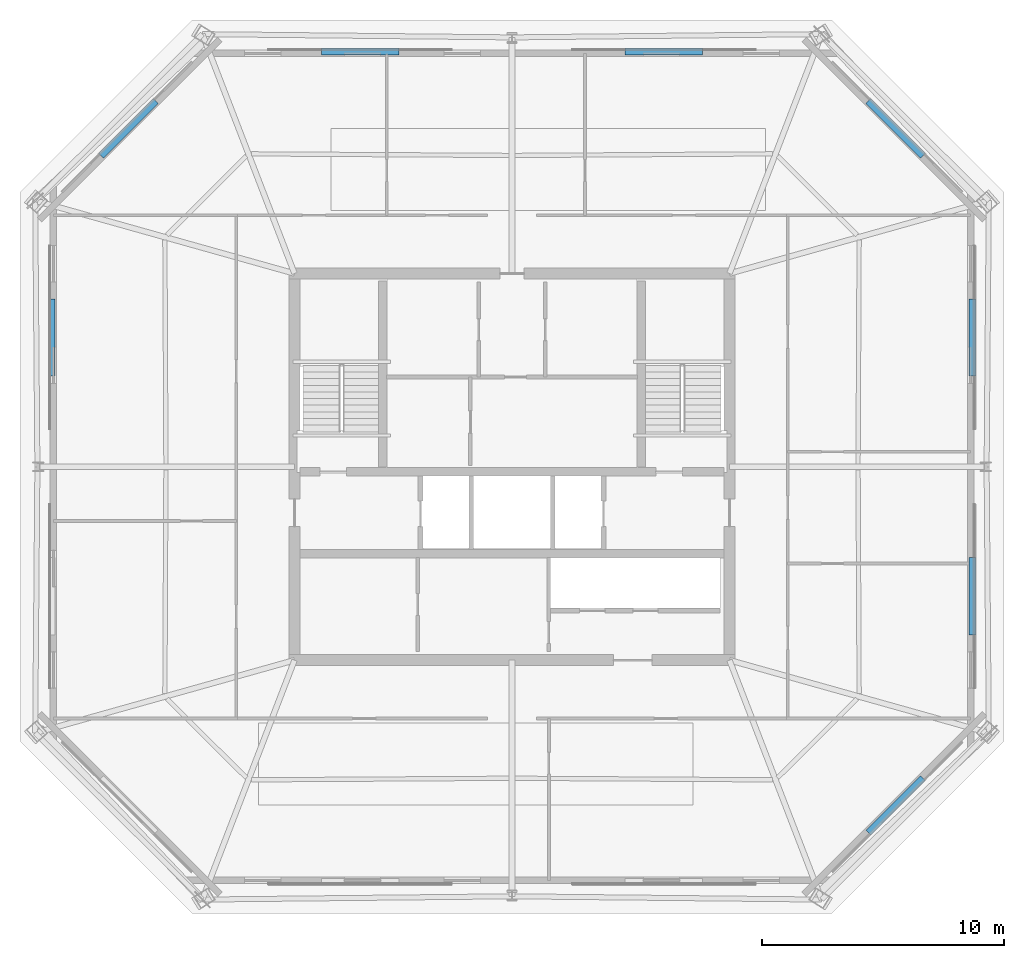
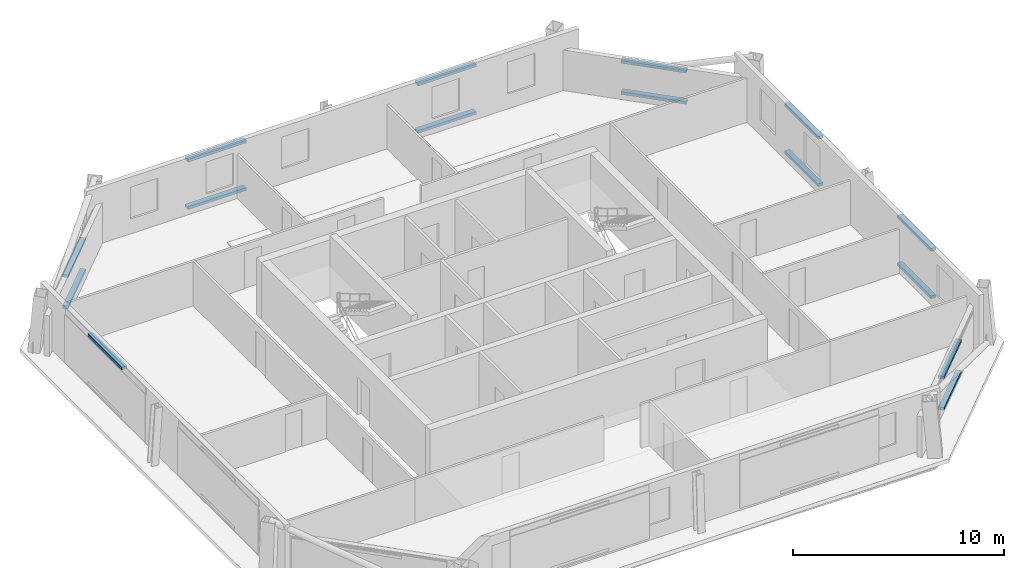
# One storey, part 5 of 7: 15 discrete accessories.
"""IFC4 building model written with IfcOpenShell, lengths in metres."""

from ifc_helpers import new_model, si_unit, direction, frame, origin, origin_2d, place, context, subcontext, project, spatial, rectangle, extrude, material, type_object, element, save


model = new_model("IFC4")

# Units and contexts
model_context = context("Model", 3, precision=1e-05, world=origin(), true_north=direction((0.0, 1.0)))
body_context = subcontext(model_context, "Body", "Model", "MODEL_VIEW")
ifc_project = project(units=[si_unit("LENGTHUNIT", "METRE"), si_unit("AREAUNIT", "SQUARE_METRE"), si_unit("VOLUMEUNIT", "CUBIC_METRE"), si_unit("PLANEANGLEUNIT", "RADIAN"), si_unit("MASSUNIT", "GRAM", prefix="KILO")], contexts=[model_context])

# Site, building, storey
site_placement = place(None, origin())
site = spatial("IfcSite", under=ifc_project, at=site_placement, CompositionType="ELEMENT")
building_placement = place(site_placement, origin())
building = spatial("IfcBuilding", under=site, at=building_placement, Name="Caelvoria Tower", CompositionType="ELEMENT")
storey_placement = place(building_placement, frame((0.0, 0.0, 231.0)))
storey = spatial("IfcBuildingStorey", under=building, at=storey_placement, Name="L61", CompositionType="ELEMENT", Elevation=231.0)

# Discrete accessories
ifc_material = material(Name="Anodised Bronze Stainless Bracket", Category="bronze")
discrete_accessory_type = type_object("IfcDiscreteAccessoryType", Name="Solar Screen Outrigger Support Bracket", PredefinedType="BRACKET", material=ifc_material)
for number, where, z_axis, x_axis, name in (
    (1, (61.87109375, 17.9970703125, 0.240234375), (0.0, 0.0, 1.0), (0.707106781187, 0.707106781187, 0.0), "Solar Screen Bracket L61-E1-00"),
    (2, (61.87109375, 17.9970703125, 2.04296875), (0.0, 0.0, 1.0), (0.707106781187, 0.707106781187, 0.0), "Upper Screen Band Bracket L61-E1-00"),
    (3, (65.052001953125, 26.648193359375, 0.240234375), (0.0, 0.0, 1.0), (0.0, 1.0, 0.0), "Solar Screen Bracket L61-E2-00"),
    (4, (65.052001953125, 26.648193359375, 2.97998046875), (0.0, 0.0, 1.0), (0.0, 1.0, 0.0), "Upper Screen Band Bracket L61-E2-00"),
    (5, (65.052001953125, 37.351806640625, 0.240234375), (0.0, 0.0, 1.0), (0.0, 1.0, 0.0), "Solar Screen Bracket L61-E2-01"),
    (6, (65.052001953125, 37.351806640625, 2.97998046875), (0.0, 0.0, 1.0), (0.0, 1.0, 0.0), "Upper Screen Band Bracket L61-E2-01"),
    (7, (61.87109375, 46.0029296875, 0.240234375), (0.0, 0.0, 1.0), (-0.707106781187, 0.707106781187, 0.0), "Solar Screen Bracket L61-E3-00"),
    (8, (61.87109375, 46.0029296875, 2.04296875), (0.0, 0.0, 1.0), (-0.707106781187, 0.707106781187, 0.0), "Upper Screen Band Bracket L61-E3-00"),
    (9, (52.285888671875, 49.183837890625, 0.240234375), (0.0, 0.0, 1.0), (-1.0, 0.0, 0.0), "Solar Screen Bracket L61-E4-00"),
    (10, (52.285888671875, 49.183837890625, 2.97998046875), (0.0, 0.0, 1.0), (-1.0, 0.0, 0.0), "Upper Screen Band Bracket L61-E4-00"),
    (11, (39.714111328125, 49.183837890625, 0.240234375), (0.0, 0.0, 1.0), (-1.0, 0.0, 0.0), "Solar Screen Bracket L61-E4-01"),
    (12, (39.714111328125, 49.183837890625, 2.97998046875), (0.0, 0.0, 1.0), (-1.0, 0.0, 0.0), "Upper Screen Band Bracket L61-E4-01"),
    (13, (30.12890625, 46.0029296875, 0.240234375), (0.0, 0.0, 1.0), (-0.707106781187, -0.707106781187, 0.0), "Solar Screen Bracket L61-E5-00"),
    (14, (30.12890625, 46.0029296875, 2.04296875), (0.0, 0.0, 1.0), (-0.707106781187, -0.707106781187, 0.0), "Upper Screen Band Bracket L61-E5-00"),
    (15, (26.947998046875, 37.351806640625, 2.97998046875), (0.0, 0.0, 1.0), (0.0, -1.0, 0.0), "Upper Screen Band Bracket L61-E6-00"),
):
    element("IfcDiscreteAccessory", number, at=place(storey_placement, frame(where, z_axis=z_axis, x_axis=x_axis)), inside=storey, type_object=discrete_accessory_type, Name=name, PredefinedType="BRACKET", context=body_context, shape_type="SweptSolid", body=[
        extrude(rectangle(XDim=3.199951171875, YDim=0.280029296875, at=origin_2d()), origin(), (0.0, 0.0, 1.0), 0.159912109375),
    ])

save(model, "model.ifc")
